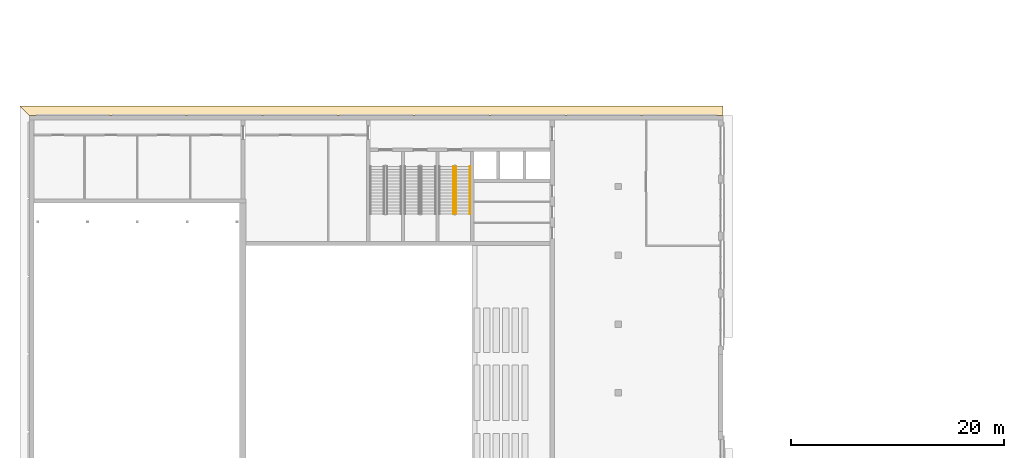
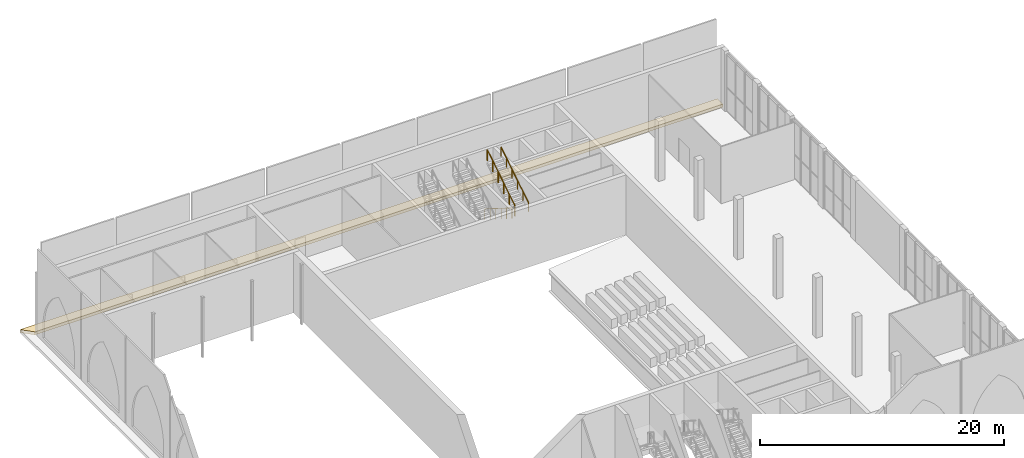
# One storey, part 49 of 74: 3 railings, 1 covering.
"""IFC4 building model written with IfcOpenShell, lengths in metres."""

from ifc_helpers import new_model, si_unit, direction, frame, origin, origin_2d, place, context, subcontext, project, spatial, polyline, rectangle, outline, extrude, material, type_object, element, save


model = new_model("IFC4")

# Units and contexts
model_context = context("Model", 3, precision=1e-05, world=origin(), true_north=direction((0.0, 1.0)))
body_context = subcontext(model_context, "Body", "Model", "MODEL_VIEW")
ifc_project = project(units=[si_unit("LENGTHUNIT", "METRE"), si_unit("AREAUNIT", "SQUARE_METRE"), si_unit("VOLUMEUNIT", "CUBIC_METRE"), si_unit("PLANEANGLEUNIT", "RADIAN"), si_unit("MASSUNIT", "GRAM", prefix="KILO")], contexts=[model_context])

# Site, building, storey
site_placement = place(None, origin())
site = spatial("IfcSite", under=ifc_project, at=site_placement, CompositionType="ELEMENT")
building_placement = place(site_placement, origin())
building = spatial("IfcBuilding", under=site, at=building_placement, Name="Noorbagh Ring Tower", CompositionType="ELEMENT")
storey_placement = place(building_placement, frame((0.0, 0.0, 13.5)))
storey = spatial("IfcBuildingStorey", under=building, at=storey_placement, Name="L02", CompositionType="ELEMENT", Elevation=13.5)

# Covering
ifc_material_1 = material(Name="Red sandstone eave", Category="masonry")
covering_type = type_object("IfcCoveringType", Name="STH-CHHAJJA", PredefinedType="USERDEFINED", material=ifc_material_1)
covering_placement = place(storey_placement, frame((0.0, 0.0, -0.300048828125)))
element("IfcCovering", 1, at=covering_placement, inside=storey, type_object=covering_type, Name="Chhajja eave", ObjectType="CHHAJJA", PredefinedType="USERDEFINED", context=body_context, shape_type="SweptSolid", body=[
    extrude(outline(polyline([(-160.0, 31.0), (-95.0, 31.0), (-95.0, 31.89990234375), (-160.89990234375, 31.89990234375), (-160.0, 31.0)])), origin(), (0.0, 0.0, 1.0), 0.300048828125),
])

# Railings
ifc_material_2 = material(Name="Stainless steel", Category="steel")
railing_type_1 = type_object("IfcRailingType", Name="TH-STAIR-GUARD", PredefinedType="GUARDRAIL", material=ifc_material_2)
railing_1_placement = place(storey_placement, frame((-120.25, 26.25, 0.176513671875)))
element("IfcRailing", 2, at=railing_1_placement, inside=storey, type_object=railing_type_1, Name="L02 TSN2 stair guard 1", PredefinedType="GUARDRAIL", context=body_context, shape_type="SweptSolid", body=[
    extrude(rectangle(XDim=0.048095703125, YDim=0.048095703125, at=origin_2d()), frame((0.0, 0.0, 1.076171875), z_axis=(0.0, -0.845997938375, 0.533186166611), x_axis=(1.0, 0.0, 0.0)), (0.0, 0.0, 1.0), 5.29541015625),
    extrude(rectangle(XDim=0.0419921875, YDim=0.0419921875, at=origin_2d()), origin(), (0.0, 0.0, 1.0), 1.052001953125),
    extrude(rectangle(XDim=0.0419921875, YDim=0.0419921875, at=origin_2d()), frame((0.0, -0.89599609375, 0.564697265625)), (0.0, 0.0, 1.0), 1.052001953125),
    extrude(rectangle(XDim=0.0419921875, YDim=0.0419921875, at=origin_2d()), frame((0.0, -1.7919921875, 1.12939453125)), (0.0, 0.0, 1.0), 1.052001953125),
    extrude(rectangle(XDim=0.0419921875, YDim=0.0419921875, at=origin_2d()), frame((0.0, -2.68798828125, 1.694091796875)), (0.0, 0.0, 1.0), 1.052001953125),
    extrude(rectangle(XDim=0.0419921875, YDim=0.0419921875, at=origin_2d()), frame((0.0, -3.583984375, 2.2587890625)), (0.0, 0.0, 1.0), 1.052001953125),
    extrude(rectangle(XDim=0.0419921875, YDim=0.0419921875, at=origin_2d()), frame((0.0, -4.47998046875, 2.823486328125)), (0.0, 0.0, 1.0), 1.052001953125),
])
railing_2_placement = place(storey_placement, frame((-120.0, 21.77001953125, 3.176513671875)))
element("IfcRailing", 3, at=railing_2_placement, inside=storey, type_object=railing_type_1, Name="L02 TSN2 stair guard 3", PredefinedType="GUARDRAIL", context=body_context, shape_type="SweptSolid", body=[
    extrude(rectangle(XDim=0.048095703125, YDim=0.048095703125, at=origin_2d()), frame((0.0, 0.0, 1.076171875), z_axis=(0.0, 0.845997938375, 0.533186166611), x_axis=(-1.0, 0.0, 0.0)), (0.0, 0.0, 1.0), 5.29541015625),
    extrude(rectangle(XDim=0.0419921875, YDim=0.0419921875, at=origin_2d()), origin(), (0.0, 0.0, 1.0), 1.052001953125),
    extrude(rectangle(XDim=0.0419921875, YDim=0.0419921875, at=origin_2d()), frame((0.0, 0.89599609375, 0.564697265625)), (0.0, 0.0, 1.0), 1.052001953125),
    extrude(rectangle(XDim=0.0419921875, YDim=0.0419921875, at=origin_2d()), frame((0.0, 1.7919921875, 1.12939453125)), (0.0, 0.0, 1.0), 1.052001953125),
    extrude(rectangle(XDim=0.0419921875, YDim=0.0419921875, at=origin_2d()), frame((0.0, 2.68798828125, 1.694091796875)), (0.0, 0.0, 1.0), 1.052001953125),
    extrude(rectangle(XDim=0.0419921875, YDim=0.0419921875, at=origin_2d()), frame((0.0, 3.583984375, 2.2587890625)), (0.0, 0.0, 1.0), 1.052001953125),
    extrude(rectangle(XDim=0.0419921875, YDim=0.0419921875, at=origin_2d()), frame((0.0, 4.47998046875, 2.823486328125)), (0.0, 0.0, 1.0), 1.052001953125),
])
ifc_material_3 = material(Name="Stainless steel", Category="steel")
railing_type_2 = type_object("IfcRailingType", Name="TH-STAIR-HANDRAIL", PredefinedType="HANDRAIL", material=ifc_material_3)
railing_3_placement = place(storey_placement, frame((-118.699951171875, 21.77001953125, 3.176513671875)))
element("IfcRailing", 4, at=railing_3_placement, inside=storey, type_object=railing_type_2, Name="L02 TSN2 stair handrail 2", PredefinedType="HANDRAIL", context=body_context, shape_type="SweptSolid", body=[
    extrude(rectangle(XDim=0.048095703125, YDim=0.048095703125, at=origin_2d()), frame((0.0, 0.0, 0.8759765625), z_axis=(0.0, 0.845997938375, 0.533186166611), x_axis=(-1.0, 0.0, 0.0)), (0.0, 0.0, 1.0), 5.29541015625),
    extrude(rectangle(XDim=0.0419921875, YDim=0.0419921875, at=origin_2d()), origin(), (0.0, 0.0, 1.0), 0.851806640625),
    extrude(rectangle(XDim=0.0419921875, YDim=0.0419921875, at=origin_2d()), frame((0.0, 0.89599609375, 0.564697265625)), (0.0, 0.0, 1.0), 0.851806640625),
    extrude(rectangle(XDim=0.0419921875, YDim=0.0419921875, at=origin_2d()), frame((0.0, 1.7919921875, 1.12939453125)), (0.0, 0.0, 1.0), 0.851806640625),
    extrude(rectangle(XDim=0.0419921875, YDim=0.0419921875, at=origin_2d()), frame((0.0, 2.68798828125, 1.694091796875)), (0.0, 0.0, 1.0), 0.851806640625),
    extrude(rectangle(XDim=0.0419921875, YDim=0.0419921875, at=origin_2d()), frame((0.0, 3.583984375, 2.2587890625)), (0.0, 0.0, 1.0), 0.851806640625),
    extrude(rectangle(XDim=0.0419921875, YDim=0.0419921875, at=origin_2d()), frame((0.0, 4.47998046875, 2.823486328125)), (0.0, 0.0, 1.0), 0.851806640625),
])

save(model, "model.ifc")
